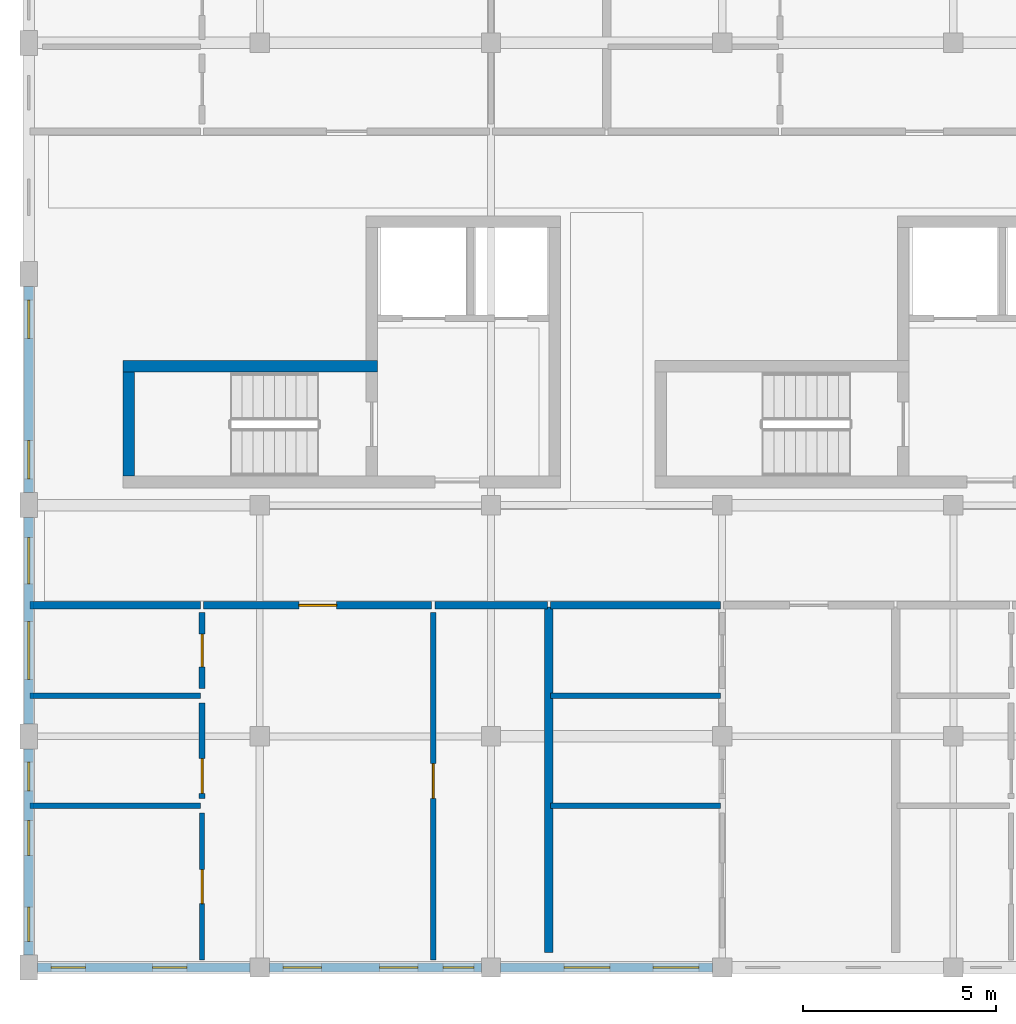
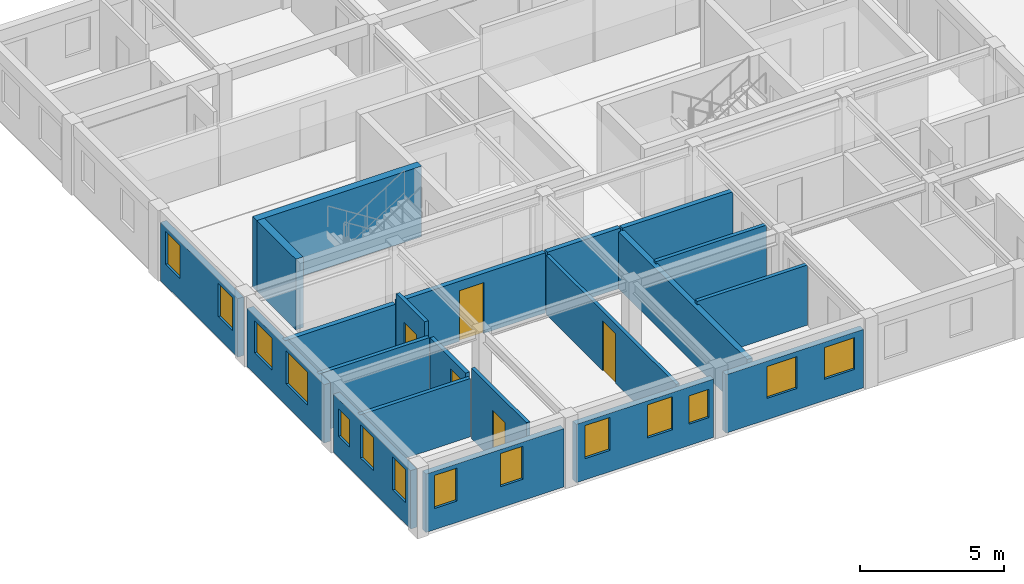
# One storey, part 3 of 13: 21 walls, 14 windows, 5 doors, 19 openings.
"""IFC4 building model written with IfcOpenShell, lengths in metres."""

from ifc_helpers import new_model, si_unit, direction, frame, frame_2d, origin, place, context, subcontext, project, spatial, rectangle, extrude, material, layer, layer_set, type_object, element, fill, save


model = new_model("IFC4")

# Units and contexts
model_context = context("Model", 3, precision=1e-05, world=origin(), true_north=direction((0.0, 1.0)))
body_context = subcontext(model_context, "Body", "Model", "MODEL_VIEW")
ifc_project = project(units=[si_unit("LENGTHUNIT", "METRE"), si_unit("AREAUNIT", "SQUARE_METRE"), si_unit("VOLUMEUNIT", "CUBIC_METRE"), si_unit("PLANEANGLEUNIT", "RADIAN"), si_unit("MASSUNIT", "GRAM", prefix="KILO"), si_unit("POWERUNIT", "WATT"), si_unit("THERMODYNAMICTEMPERATUREUNIT", "KELVIN")], contexts=[model_context])

# Site, building, storey
site_placement = place(None, origin())
site = spatial("IfcSite", under=ifc_project, at=site_placement, CompositionType="ELEMENT")
building_placement = place(site_placement, origin())
building = spatial("IfcBuilding", under=site, at=building_placement, Name="Ruvembo Vaulted Housing Court", CompositionType="ELEMENT")
storey_placement = place(building_placement, frame((0.0, 0.0, 33.300048828125)))
storey = spatial("IfcBuildingStorey", under=building, at=storey_placement, Name="L10", CompositionType="ELEMENT", Elevation=33.300048828125)

# Walls
ifc_material_1 = material(Name="Concrete C35/45", Category="concrete")
ifc_layer_1 = layer(ifc_material_1, 0.300048828125, Name="Concrete C35/45")
ifc_layer_set_1 = layer_set([ifc_layer_1], Name="Concrete C35/45")
wall_type_1 = type_object("IfcWallType", Name="WL-CORE-300", PredefinedType="SHEAR", material=ifc_layer_set_1)
wall_1_placement = place(storey_placement, frame((9.050048828125, 21.60009765625, 0.0), z_axis=(0.0, 0.0, 1.0), x_axis=(-1.0, 0.0, 0.0)))
element("IfcWall", 1, at=wall_1_placement, inside=storey, type_object=wall_type_1, Name="Core A1 L10 Stair North Shear Wall", PredefinedType="SHEAR", context=body_context, shape_type="SweptSolid", body=[
    extrude(rectangle(XDim=6.60009765625, YDim=0.300048828125, at=frame_2d((3.300048828125, 0.0))), origin(), (0.0, 0.0, 1.0), 2.989990234375),
])
wall_2_placement = place(storey_placement, frame((2.60009765625, 21.449951171875, 0.0), z_axis=(0.0, 0.0, 1.0), x_axis=(0.0, -1.0, 0.0)))
element("IfcWall", 2, at=wall_2_placement, inside=storey, type_object=wall_type_1, Name="Core A1 L10 Stair West Shear Wall", PredefinedType="SHEAR", context=body_context, shape_type="SweptSolid", body=[
    extrude(rectangle(XDim=2.699951171875, YDim=0.300048828125, at=frame_2d((1.35009765625, 0.0))), origin(), (0.0, 0.0, 1.0), 2.989990234375),
])
ifc_material_2 = material(Name="Concrete Blockwork 190", Category="masonry")
ifc_layer_2 = layer(ifc_material_2, 0.18994140625, Name="Concrete Blockwork 190")
ifc_layer_set_2 = layer_set([ifc_layer_2], Name="Concrete Blockwork 190")
wall_type_2 = type_object("IfcWallType", Name="WL-CORR-190", PredefinedType="SOLIDWALL", material=ifc_layer_set_2)
wall_3_placement = place(storey_placement, frame((0.0400390625, 15.39990234375, 0.0), z_axis=(0.0, 0.0, 1.0), x_axis=(1.0, 0.0, 0.0)))
element("IfcWall", 3, at=wall_3_placement, inside=storey, type_object=wall_type_2, Name="L10 Flat A-L10-S1 Corridor Wall WL-INT-L10-02200", PredefinedType="SOLIDWALL", context=body_context, shape_type="SweptSolid", body=[
    extrude(rectangle(XDim=4.419921875, YDim=0.18994140625, at=frame_2d((2.2099609375, 0.0))), origin(), (0.0, 0.0, 1.0), 2.471923828125),
])

# Wall, opening, door
wall_4_placement = place(storey_placement, frame((4.5400390625, 15.39990234375, 0.0), z_axis=(0.0, 0.0, 1.0), x_axis=(1.0, 0.0, 0.0)))
wall_4 = element("IfcWall", 4, at=wall_4_placement, inside=storey, type_object=wall_type_2, Name="L10 Flat A-L10-S1 Entrance WL-INT-L10-02201", PredefinedType="SOLIDWALL", context=body_context, shape_type="SweptSolid", body=[
    extrude(rectangle(XDim=5.919921875, YDim=0.18994140625, at=frame_2d((2.9599609375, 0.0))), origin(), (0.0, 0.0, 1.0), 2.5478515625),
])
opening_1_placement = place(wall_4_placement, frame((2.469970703125, 0.0, 0.0)))
opening_1 = element("IfcOpeningElement", 5, at=opening_1_placement, cuts=wall_4, Name="Opening FD2", PredefinedType="OPENING", context=body_context, shape_type="SweptSolid", body=[
    extrude(rectangle(XDim=0.97998046875, YDim=2.14990234375, at=frame_2d((0.489990234375, 1.074951171875))), frame((0.0, 0.10498046875, 0.0), z_axis=(0.0, -1.0, 0.0), x_axis=(1.0, 0.0, 0.0)), (0.0, 0.0, 1.0), 0.2099609375),
])
ifc_material_3 = material(Name="FSC Hardwood and Engineered Timber", Category="wood")
door_type_1 = type_object("IfcDoorType", Name="DR-FLAT-0980x2150", OperationType="NOTDEFINED", PredefinedType="DOOR", material=ifc_material_3)
door_1_placement = place(opening_1_placement, origin())
door_1 = element("IfcDoor", 6, at=door_1_placement, inside=storey, type_object=door_type_1, Name="L10 Flat A-L10-S1 Entrance Door DR-INT-L10-01222", OperationType="SINGLE_SWING_RIGHT", OverallHeight=2.14990234375, OverallWidth=0.97998046875, PredefinedType="DOOR", context=body_context, shape_type="SweptSolid", body=[
    extrude(rectangle(XDim=0.97998046875, YDim=2.14990234375, at=frame_2d((0.489990234375, 1.074951171875))), frame((0.0, 0.02490234375, 0.0), z_axis=(0.0, -1.0, 0.0), x_axis=(1.0, 0.0, 0.0)), (0.0, 0.0, 1.0), 0.050048828125),
])
fill(opening_1, door_1)

# Walls
wall_5_placement = place(storey_placement, frame((10.5400390625, 15.39990234375, 0.0), z_axis=(0.0, 0.0, 1.0), x_axis=(1.0, 0.0, 0.0)))
element("IfcWall", 7, at=wall_5_placement, inside=storey, type_object=wall_type_2, Name="L10 Flat A-L10-S1 Corridor Wall 2 WL-INT-L10-02207", PredefinedType="SOLIDWALL", context=body_context, shape_type="SweptSolid", body=[
    extrude(rectangle(XDim=2.919921875, YDim=0.18994140625, at=frame_2d((1.4599609375, 0.0))), origin(), (0.0, 0.0, 1.0), 2.5478515625),
])
wall_6_placement = place(storey_placement, frame((13.5400390625, 15.39990234375, 0.0), z_axis=(0.0, 0.0, 1.0), x_axis=(1.0, 0.0, 0.0)))
element("IfcWall", 8, at=wall_6_placement, inside=storey, type_object=wall_type_2, Name="L10 Flat A-L10-S2 Corridor Wall WL-INT-L10-02210", PredefinedType="SOLIDWALL", context=body_context, shape_type="SweptSolid", body=[
    extrude(rectangle(XDim=4.419921875, YDim=0.18994140625, at=frame_2d((2.2099609375, 0.0))), origin(), (0.0, 0.0, 1.0), 2.508056640625),
])
ifc_material_4 = material(Name="Acoustic Masonry Demising 220", Category="masonry")
ifc_layer_3 = layer(ifc_material_4, 0.219970703125, Name="Acoustic Masonry Demising 220")
ifc_layer_set_3 = layer_set([ifc_layer_3], Name="Acoustic Masonry Demising 220")
wall_type_3 = type_object("IfcWallType", Name="WL-DEM-200", PredefinedType="SOLIDWALL", material=ifc_layer_set_3)
wall_7_placement = place(storey_placement, frame((13.5, 6.389892578125, 0.0), z_axis=(0.0, 0.0, 1.0), x_axis=(0.0, 1.0, 0.0)))
element("IfcWall", 9, at=wall_7_placement, inside=storey, type_object=wall_type_3, Name="L10 Demising A-L10-S1 WL-INT-L10-02199", PredefinedType="SOLIDWALL", context=body_context, shape_type="SweptSolid", body=[
    extrude(rectangle(XDim=8.97021484375, YDim=0.219970703125, at=frame_2d((4.485107421875, 0.0))), origin(), (0.0, 0.0, 1.0), 2.407958984375),
])

# Wall, openings, windows
ifc_material_5 = material(Name="Rendered Masonry 245", Category="masonry")
ifc_layer_4 = layer(ifc_material_5, 0.2451171875, Name="Rendered Masonry 245")
ifc_layer_set_4 = layer_set([ifc_layer_4], Name="Rendered Masonry 245")
wall_type_4 = type_object("IfcWallType", Name="WL-EXT-245", PredefinedType="STANDARD", material=ifc_layer_set_4)
wall_8_placement = place(storey_placement, frame((0.22509765625, 6.0, 0.0), z_axis=(0.0, 0.0, 1.0), x_axis=(1.0, 0.0, 0.0)))
wall_8 = element("IfcWall", 10, at=wall_8_placement, inside=storey, type_object=wall_type_4, Name="Block A L10 Exterior Wall STREET #1", PredefinedType="STANDARD", context=body_context, shape_type="SweptSolid", body=[
    extrude(rectangle(XDim=5.52490234375, YDim=0.2451171875, at=frame_2d((2.762451171875, 0.0))), origin(), (0.0, 0.0, 1.0), 2.471923828125),
])
opening_2_placement = place(wall_8_placement, frame((0.35009765625, 0.0, 0.89990234375)))
opening_2 = element("IfcOpeningElement", 11, at=opening_2_placement, cuts=wall_8, Name="Opening W05", PredefinedType="OPENING", context=body_context, shape_type="SweptSolid", body=[
    extrude(rectangle(XDim=0.89990234375, YDim=1.39990234375, at=frame_2d((0.449951171875, 0.699951171875))), frame((0.0, 0.132568359375, 0.0), z_axis=(0.0, -1.0, 0.0), x_axis=(1.0, 0.0, 0.0)), (0.0, 0.0, 1.0), 0.26513671875),
])
opening_3_placement = place(wall_8_placement, frame((2.985107421875, 0.0, 0.89990234375)))
opening_3 = element("IfcOpeningElement", 12, at=opening_3_placement, cuts=wall_8, Name="Opening W05", PredefinedType="OPENING", context=body_context, shape_type="SweptSolid", body=[
    extrude(rectangle(XDim=0.89990234375, YDim=1.39990234375, at=frame_2d((0.449951171875, 0.699951171875))), frame((0.0, 0.132568359375, 0.0), z_axis=(0.0, -1.0, 0.0), x_axis=(1.0, 0.0, 0.0)), (0.0, 0.0, 1.0), 0.26513671875),
])
ifc_material_6 = material(Name="Double Solar-Control Glazing in Aluminium Frame", Category="aluminium")
window_type_1 = type_object("IfcWindowType", Name="WIN-0900x1400", PartitioningType="SINGLE_PANEL", PredefinedType="WINDOW", material=ifc_material_6)
window_1_placement = place(opening_2_placement, origin())
window_1 = element("IfcWindow", 13, at=window_1_placement, inside=storey, type_object=window_type_1, Name="Block A L10 Window #432", OverallHeight=1.39990234375, OverallWidth=0.89990234375, PartitioningType="SINGLE_PANEL", PredefinedType="WINDOW", context=body_context, shape_type="SweptSolid", body=[
    extrude(rectangle(XDim=0.89990234375, YDim=1.39990234375, at=frame_2d((0.449951171875, 0.699951171875))), frame((0.0, 0.030029296875, 0.0), z_axis=(0.0, -1.0, 0.0), x_axis=(1.0, 0.0, 0.0)), (0.0, 0.0, 1.0), 0.06005859375),
])
fill(opening_2, window_1)
window_2_placement = place(opening_3_placement, origin())
window_2 = element("IfcWindow", 14, at=window_2_placement, inside=storey, type_object=window_type_1, Name="Block A L10 Window #433", OverallHeight=1.39990234375, OverallWidth=0.89990234375, PartitioningType="SINGLE_PANEL", PredefinedType="WINDOW", context=body_context, shape_type="SweptSolid", body=[
    extrude(rectangle(XDim=0.89990234375, YDim=1.39990234375, at=frame_2d((0.449951171875, 0.699951171875))), frame((0.0, 0.030029296875, 0.0), z_axis=(0.0, -1.0, 0.0), x_axis=(1.0, 0.0, 0.0)), (0.0, 0.0, 1.0), 0.06005859375),
])
fill(opening_3, window_2)

wall_9_placement = place(storey_placement, frame((6.25, 6.0, 0.0), z_axis=(0.0, 0.0, 1.0), x_axis=(1.0, 0.0, 0.0)))
wall_9 = element("IfcWall", 15, at=wall_9_placement, inside=storey, type_object=wall_type_4, Name="Block A L10 Exterior Wall STREET #2", PredefinedType="STANDARD", context=body_context, shape_type="SweptSolid", body=[
    extrude(rectangle(XDim=5.5, YDim=0.2451171875, at=frame_2d((2.75, 0.0))), origin(), (0.0, 0.0, 1.0), 2.471923828125),
])
opening_4_placement = place(wall_9_placement, frame((0.35009765625, 0.0, 0.89990234375)))
opening_4 = element("IfcOpeningElement", 16, at=opening_4_placement, cuts=wall_9, Name="Opening W08", PredefinedType="OPENING", context=body_context, shape_type="SweptSolid", body=[
    extrude(rectangle(XDim=1.0, YDim=1.39990234375, at=frame_2d((0.5, 0.699951171875))), frame((0.0, 0.132568359375, 0.0), z_axis=(0.0, -1.0, 0.0), x_axis=(1.0, 0.0, 0.0)), (0.0, 0.0, 1.0), 0.26513671875),
])
opening_5_placement = place(wall_9_placement, frame((2.860107421875, 0.0, 0.89990234375)))
opening_5 = element("IfcOpeningElement", 17, at=opening_5_placement, cuts=wall_9, Name="Opening W08", PredefinedType="OPENING", context=body_context, shape_type="SweptSolid", body=[
    extrude(rectangle(XDim=1.0, YDim=1.39990234375, at=frame_2d((0.5, 0.699951171875))), frame((0.0, 0.132568359375, 0.0), z_axis=(0.0, -1.0, 0.0), x_axis=(1.0, 0.0, 0.0)), (0.0, 0.0, 1.0), 0.26513671875),
])
opening_6_placement = place(wall_9_placement, frame((4.506103515625, 0.0, 0.89990234375)))
opening_6 = element("IfcOpeningElement", 18, at=opening_6_placement, cuts=wall_9, Name="Opening W02", PredefinedType="OPENING", context=body_context, shape_type="SweptSolid", body=[
    extrude(rectangle(XDim=0.800048828125, YDim=1.199951171875, at=frame_2d((0.39990234375, 0.60009765625))), frame((0.0, 0.132568359375, 0.0), z_axis=(0.0, -1.0, 0.0), x_axis=(1.0, 0.0, 0.0)), (0.0, 0.0, 1.0), 0.26513671875),
])
window_type_2 = type_object("IfcWindowType", Name="WIN-0800x1200", PartitioningType="SINGLE_PANEL", PredefinedType="WINDOW", material=ifc_material_6)
window_3_placement = place(opening_6_placement, origin())
window_3 = element("IfcWindow", 19, at=window_3_placement, inside=storey, type_object=window_type_2, Name="Block A L10 Window #2082", OverallHeight=1.199951171875, OverallWidth=0.800048828125, PartitioningType="SINGLE_PANEL", PredefinedType="WINDOW", context=body_context, shape_type="SweptSolid", body=[
    extrude(rectangle(XDim=0.800048828125, YDim=1.199951171875, at=frame_2d((0.39990234375, 0.60009765625))), frame((0.0, 0.030029296875, 0.0), z_axis=(0.0, -1.0, 0.0), x_axis=(1.0, 0.0, 0.0)), (0.0, 0.0, 1.0), 0.06005859375),
])
fill(opening_6, window_3)
window_type_3 = type_object("IfcWindowType", Name="WIN-1000x1400", PartitioningType="SINGLE_PANEL", PredefinedType="WINDOW", material=ifc_material_6)
window_4_placement = place(opening_4_placement, origin())
window_4 = element("IfcWindow", 20, at=window_4_placement, inside=storey, type_object=window_type_3, Name="Block A L10 Window #434", OverallHeight=1.39990234375, OverallWidth=1.0, PartitioningType="SINGLE_PANEL", PredefinedType="WINDOW", context=body_context, shape_type="SweptSolid", body=[
    extrude(rectangle(XDim=1.0, YDim=1.39990234375, at=frame_2d((0.5, 0.699951171875))), frame((0.0, 0.030029296875, 0.0), z_axis=(0.0, -1.0, 0.0), x_axis=(1.0, 0.0, 0.0)), (0.0, 0.0, 1.0), 0.06005859375),
])
fill(opening_4, window_4)
window_5_placement = place(opening_5_placement, origin())
window_5 = element("IfcWindow", 21, at=window_5_placement, inside=storey, type_object=window_type_3, Name="Block A L10 Window #435", OverallHeight=1.39990234375, OverallWidth=1.0, PartitioningType="SINGLE_PANEL", PredefinedType="WINDOW", context=body_context, shape_type="SweptSolid", body=[
    extrude(rectangle(XDim=1.0, YDim=1.39990234375, at=frame_2d((0.5, 0.699951171875))), frame((0.0, 0.030029296875, 0.0), z_axis=(0.0, -1.0, 0.0), x_axis=(1.0, 0.0, 0.0)), (0.0, 0.0, 1.0), 0.06005859375),
])
fill(opening_5, window_5)

wall_10_placement = place(storey_placement, frame((12.25, 6.0, 0.0), z_axis=(0.0, 0.0, 1.0), x_axis=(1.0, 0.0, 0.0)))
wall_10 = element("IfcWall", 22, at=wall_10_placement, inside=storey, type_object=wall_type_4, Name="Block A L10 Exterior Wall STREET #3", PredefinedType="STANDARD", context=body_context, shape_type="SweptSolid", body=[
    extrude(rectangle(XDim=5.5, YDim=0.2451171875, at=frame_2d((2.75, 0.0))), origin(), (0.0, 0.0, 1.0), 2.471923828125),
])
opening_7_placement = place(wall_10_placement, frame((1.639892578125, 0.0, 0.89990234375)))
opening_7 = element("IfcOpeningElement", 23, at=opening_7_placement, cuts=wall_10, Name="Opening W12", PredefinedType="OPENING", context=body_context, shape_type="SweptSolid", body=[
    extrude(rectangle(XDim=1.199951171875, YDim=1.35009765625, at=frame_2d((0.60009765625, 0.675048828125))), frame((0.0, 0.132568359375, 0.0), z_axis=(0.0, -1.0, 0.0), x_axis=(1.0, 0.0, 0.0)), (0.0, 0.0, 1.0), 0.26513671875),
])
opening_8_placement = place(wall_10_placement, frame((3.949951171875, 0.0, 0.89990234375)))
opening_8 = element("IfcOpeningElement", 24, at=opening_8_placement, cuts=wall_10, Name="Opening W12", PredefinedType="OPENING", context=body_context, shape_type="SweptSolid", body=[
    extrude(rectangle(XDim=1.199951171875, YDim=1.35009765625, at=frame_2d((0.60009765625, 0.675048828125))), frame((0.0, 0.132568359375, 0.0), z_axis=(0.0, -1.0, 0.0), x_axis=(1.0, 0.0, 0.0)), (0.0, 0.0, 1.0), 0.26513671875),
])
window_type_4 = type_object("IfcWindowType", Name="WIN-1200x1350", PartitioningType="SINGLE_PANEL", PredefinedType="WINDOW", material=ifc_material_6)
window_6_placement = place(opening_7_placement, origin())
window_6 = element("IfcWindow", 25, at=window_6_placement, inside=storey, type_object=window_type_4, Name="Block A L10 Window #436", OverallHeight=1.35009765625, OverallWidth=1.199951171875, PartitioningType="SINGLE_PANEL", PredefinedType="WINDOW", context=body_context, shape_type="SweptSolid", body=[
    extrude(rectangle(XDim=1.199951171875, YDim=1.35009765625, at=frame_2d((0.60009765625, 0.675048828125))), frame((0.0, 0.030029296875, 0.0), z_axis=(0.0, -1.0, 0.0), x_axis=(1.0, 0.0, 0.0)), (0.0, 0.0, 1.0), 0.06005859375),
])
fill(opening_7, window_6)
window_7_placement = place(opening_8_placement, origin())
window_7 = element("IfcWindow", 26, at=window_7_placement, inside=storey, type_object=window_type_4, Name="Block A L10 Window #437", OverallHeight=1.35009765625, OverallWidth=1.199951171875, PartitioningType="SINGLE_PANEL", PredefinedType="WINDOW", context=body_context, shape_type="SweptSolid", body=[
    extrude(rectangle(XDim=1.199951171875, YDim=1.35009765625, at=frame_2d((0.60009765625, 0.675048828125))), frame((0.0, 0.030029296875, 0.0), z_axis=(0.0, -1.0, 0.0), x_axis=(1.0, 0.0, 0.0)), (0.0, 0.0, 1.0), 0.06005859375),
])
fill(opening_8, window_7)

wall_11_placement = place(storey_placement, frame((0.0, 23.675048828125, 0.0), z_axis=(0.0, 0.0, 1.0), x_axis=(0.0, -1.0, 0.0)))
wall_11 = element("IfcWall", 27, at=wall_11_placement, inside=storey, type_object=wall_type_4, Name="Block A L10 Exterior Wall WEST #3", PredefinedType="STANDARD", context=body_context, shape_type="SweptSolid", body=[
    extrude(rectangle(XDim=5.35009765625, YDim=0.2451171875, at=frame_2d((2.675048828125, 0.0))), origin(), (0.0, 0.0, 1.0), 2.471923828125),
])
opening_9_placement = place(wall_11_placement, frame((0.35009765625, 0.0, 0.89990234375)))
opening_9 = element("IfcOpeningElement", 28, at=opening_9_placement, cuts=wall_11, Name="Opening W08", PredefinedType="OPENING", context=body_context, shape_type="SweptSolid", body=[
    extrude(rectangle(XDim=1.0, YDim=1.39990234375, at=frame_2d((0.5, 0.699951171875))), frame((0.0, 0.132568359375, 0.0), z_axis=(0.0, -1.0, 0.0), x_axis=(1.0, 0.0, 0.0)), (0.0, 0.0, 1.0), 0.26513671875),
])
opening_10_placement = place(wall_11_placement, frame((4.0, 0.0, 0.89990234375)))
opening_10 = element("IfcOpeningElement", 29, at=opening_10_placement, cuts=wall_11, Name="Opening W08", PredefinedType="OPENING", context=body_context, shape_type="SweptSolid", body=[
    extrude(rectangle(XDim=1.0, YDim=1.39990234375, at=frame_2d((0.5, 0.699951171875))), frame((0.0, 0.132568359375, 0.0), z_axis=(0.0, -1.0, 0.0), x_axis=(1.0, 0.0, 0.0)), (0.0, 0.0, 1.0), 0.26513671875),
])
window_8_placement = place(opening_9_placement, origin())
window_8 = element("IfcWindow", 30, at=window_8_placement, inside=storey, type_object=window_type_3, Name="Block A L10 Window #464", OverallHeight=1.39990234375, OverallWidth=1.0, PartitioningType="SINGLE_PANEL", PredefinedType="WINDOW", context=body_context, shape_type="SweptSolid", body=[
    extrude(rectangle(XDim=1.0, YDim=1.39990234375, at=frame_2d((0.5, 0.699951171875))), frame((0.0, 0.030029296875, 0.0), z_axis=(0.0, -1.0, 0.0), x_axis=(1.0, 0.0, 0.0)), (0.0, 0.0, 1.0), 0.06005859375),
])
fill(opening_9, window_8)
window_9_placement = place(opening_10_placement, origin())
window_9 = element("IfcWindow", 31, at=window_9_placement, inside=storey, type_object=window_type_3, Name="Block A L10 Window #465", OverallHeight=1.39990234375, OverallWidth=1.0, PartitioningType="SINGLE_PANEL", PredefinedType="WINDOW", context=body_context, shape_type="SweptSolid", body=[
    extrude(rectangle(XDim=1.0, YDim=1.39990234375, at=frame_2d((0.5, 0.699951171875))), frame((0.0, 0.030029296875, 0.0), z_axis=(0.0, -1.0, 0.0), x_axis=(1.0, 0.0, 0.0)), (0.0, 0.0, 1.0), 0.06005859375),
])
fill(opening_10, window_9)

wall_12_placement = place(storey_placement, frame((0.0, 17.675048828125, 0.0), z_axis=(0.0, 0.0, 1.0), x_axis=(0.0, -1.0, 0.0)))
wall_12 = element("IfcWall", 32, at=wall_12_placement, inside=storey, type_object=wall_type_4, Name="Block A L10 Exterior Wall WEST #4", PredefinedType="STANDARD", context=body_context, shape_type="SweptSolid", body=[
    extrude(rectangle(XDim=5.35009765625, YDim=0.2451171875, at=frame_2d((2.675048828125, 0.0))), origin(), (0.0, 0.0, 1.0), 2.471923828125),
])
opening_11_placement = place(wall_12_placement, frame((0.517578125, 0.0, 0.89990234375)))
opening_11 = element("IfcOpeningElement", 33, at=opening_11_placement, cuts=wall_12, Name="Opening W12", PredefinedType="OPENING", context=body_context, shape_type="SweptSolid", body=[
    extrude(rectangle(XDim=1.199951171875, YDim=1.35009765625, at=frame_2d((0.60009765625, 0.675048828125))), frame((0.0, 0.132568359375, 0.0), z_axis=(0.0, -1.0, 0.0), x_axis=(1.0, 0.0, 0.0)), (0.0, 0.0, 1.0), 0.26513671875),
])
opening_12_placement = place(wall_12_placement, frame((2.699951171875, 0.0, 0.89990234375)))
opening_12 = element("IfcOpeningElement", 34, at=opening_12_placement, cuts=wall_12, Name="Opening W18", PredefinedType="OPENING", context=body_context, shape_type="SweptSolid", body=[
    extrude(rectangle(XDim=1.5, YDim=1.39990234375, at=frame_2d((0.75, 0.699951171875))), frame((0.0, 0.132568359375, 0.0), z_axis=(0.0, -1.0, 0.0), x_axis=(1.0, 0.0, 0.0)), (0.0, 0.0, 1.0), 0.26513671875),
])
window_10_placement = place(opening_11_placement, origin())
window_10 = element("IfcWindow", 35, at=window_10_placement, inside=storey, type_object=window_type_4, Name="Block A L10 Window #466", OverallHeight=1.35009765625, OverallWidth=1.199951171875, PartitioningType="SINGLE_PANEL", PredefinedType="WINDOW", context=body_context, shape_type="SweptSolid", body=[
    extrude(rectangle(XDim=1.199951171875, YDim=1.35009765625, at=frame_2d((0.60009765625, 0.675048828125))), frame((0.0, 0.030029296875, 0.0), z_axis=(0.0, -1.0, 0.0), x_axis=(1.0, 0.0, 0.0)), (0.0, 0.0, 1.0), 0.06005859375),
])
fill(opening_11, window_10)
window_type_5 = type_object("IfcWindowType", Name="WIN-1500x1400", PartitioningType="SINGLE_PANEL", PredefinedType="WINDOW", material=ifc_material_6)
window_11_placement = place(opening_12_placement, origin())
window_11 = element("IfcWindow", 36, at=window_11_placement, inside=storey, type_object=window_type_5, Name="Block A L10 Window #467", OverallHeight=1.39990234375, OverallWidth=1.5, PartitioningType="SINGLE_PANEL", PredefinedType="WINDOW", context=body_context, shape_type="SweptSolid", body=[
    extrude(rectangle(XDim=1.5, YDim=1.39990234375, at=frame_2d((0.75, 0.699951171875))), frame((0.0, 0.030029296875, 0.0), z_axis=(0.0, -1.0, 0.0), x_axis=(1.0, 0.0, 0.0)), (0.0, 0.0, 1.0), 0.06005859375),
])
fill(opening_12, window_11)

wall_13_placement = place(storey_placement, frame((0.0, 11.675048828125, 0.0), z_axis=(0.0, 0.0, 1.0), x_axis=(0.0, -1.0, 0.0)))
wall_13 = element("IfcWall", 37, at=wall_13_placement, inside=storey, type_object=wall_type_4, Name="Block A L10 Exterior Wall WEST #5", PredefinedType="STANDARD", context=body_context, shape_type="SweptSolid", body=[
    extrude(rectangle(XDim=5.35009765625, YDim=0.2451171875, at=frame_2d((2.675048828125, 0.0))), origin(), (0.0, 0.0, 1.0), 2.471923828125),
])
opening_13_placement = place(wall_13_placement, frame((0.342529296875, 0.0, 0.89990234375)))
opening_13 = element("IfcOpeningElement", 38, at=opening_13_placement, cuts=wall_13, Name="Opening W01", PredefinedType="OPENING", context=body_context, shape_type="SweptSolid", body=[
    extrude(rectangle(XDim=0.75, YDim=1.14990234375, at=frame_2d((0.375, 0.574951171875))), frame((0.0, 0.132568359375, 0.0), z_axis=(0.0, -1.0, 0.0), x_axis=(1.0, 0.0, 0.0)), (0.0, 0.0, 1.0), 0.26513671875),
])
opening_14_placement = place(wall_13_placement, frame((1.864990234375, 0.0, 0.89990234375)))
opening_14 = element("IfcOpeningElement", 39, at=opening_14_placement, cuts=wall_13, Name="Opening W05", PredefinedType="OPENING", context=body_context, shape_type="SweptSolid", body=[
    extrude(rectangle(XDim=0.89990234375, YDim=1.39990234375, at=frame_2d((0.449951171875, 0.699951171875))), frame((0.0, 0.132568359375, 0.0), z_axis=(0.0, -1.0, 0.0), x_axis=(1.0, 0.0, 0.0)), (0.0, 0.0, 1.0), 0.26513671875),
])
opening_15_placement = place(wall_13_placement, frame((4.10009765625, 0.0, 0.89990234375)))
opening_15 = element("IfcOpeningElement", 40, at=opening_15_placement, cuts=wall_13, Name="Opening W05", PredefinedType="OPENING", context=body_context, shape_type="SweptSolid", body=[
    extrude(rectangle(XDim=0.89990234375, YDim=1.39990234375, at=frame_2d((0.449951171875, 0.699951171875))), frame((0.0, 0.132568359375, 0.0), z_axis=(0.0, -1.0, 0.0), x_axis=(1.0, 0.0, 0.0)), (0.0, 0.0, 1.0), 0.26513671875),
])
window_type_6 = type_object("IfcWindowType", Name="WIN-0750x1150", PartitioningType="SINGLE_PANEL", PredefinedType="WINDOW", material=ifc_material_6)
window_12_placement = place(opening_13_placement, origin())
window_12 = element("IfcWindow", 41, at=window_12_placement, inside=storey, type_object=window_type_6, Name="Block A L10 Window #468", OverallHeight=1.14990234375, OverallWidth=0.75, PartitioningType="SINGLE_PANEL", PredefinedType="WINDOW", context=body_context, shape_type="SweptSolid", body=[
    extrude(rectangle(XDim=0.75, YDim=1.14990234375, at=frame_2d((0.375, 0.574951171875))), frame((0.0, 0.030029296875, 0.0), z_axis=(0.0, -1.0, 0.0), x_axis=(1.0, 0.0, 0.0)), (0.0, 0.0, 1.0), 0.06005859375),
])
fill(opening_13, window_12)
window_13_placement = place(opening_14_placement, origin())
window_13 = element("IfcWindow", 42, at=window_13_placement, inside=storey, type_object=window_type_1, Name="Block A L10 Window #469", OverallHeight=1.39990234375, OverallWidth=0.89990234375, PartitioningType="SINGLE_PANEL", PredefinedType="WINDOW", context=body_context, shape_type="SweptSolid", body=[
    extrude(rectangle(XDim=0.89990234375, YDim=1.39990234375, at=frame_2d((0.449951171875, 0.699951171875))), frame((0.0, 0.030029296875, 0.0), z_axis=(0.0, -1.0, 0.0), x_axis=(1.0, 0.0, 0.0)), (0.0, 0.0, 1.0), 0.06005859375),
])
fill(opening_14, window_13)
window_14_placement = place(opening_15_placement, origin())
window_14 = element("IfcWindow", 43, at=window_14_placement, inside=storey, type_object=window_type_1, Name="Block A L10 Window #470", OverallHeight=1.39990234375, OverallWidth=0.89990234375, PartitioningType="SINGLE_PANEL", PredefinedType="WINDOW", context=body_context, shape_type="SweptSolid", body=[
    extrude(rectangle(XDim=0.89990234375, YDim=1.39990234375, at=frame_2d((0.449951171875, 0.699951171875))), frame((0.0, 0.030029296875, 0.0), z_axis=(0.0, -1.0, 0.0), x_axis=(1.0, 0.0, 0.0)), (0.0, 0.0, 1.0), 0.06005859375),
])
fill(opening_15, window_14)

# Wall, opening, door
ifc_material_7 = material(Name="Acoustic Stud Partition 135", Category="gypsum")
ifc_layer_5 = layer(ifc_material_7, 0.135009765625, Name="Acoustic Stud Partition 135")
ifc_layer_set_5 = layer_set([ifc_layer_5], Name="Acoustic Stud Partition 135")
wall_type_5 = type_object("IfcWallType", Name="WL-PART-135", PredefinedType="PARTITIONING", material=ifc_layer_set_5)
wall_14_placement = place(storey_placement, frame((4.5, 6.18994140625, 0.0), z_axis=(0.0, 0.0, 1.0), x_axis=(0.0, 1.0, 0.0)))
wall_14 = element("IfcWall", 44, at=wall_14_placement, inside=storey, type_object=wall_type_5, Name="L10 Flat A-L10-S1 Bedroom 1 WL-INT-L10-02202", PredefinedType="PARTITIONING", context=body_context, shape_type="SweptSolid", body=[
    extrude(rectangle(XDim=3.820068359375, YDim=0.135009765625, at=frame_2d((1.91015625, 0.0))), origin(), (0.0, 0.0, 1.0), 2.989990234375),
])
opening_16_placement = place(wall_14_placement, frame((1.469970703125, 0.0, 0.0)))
opening_16 = element("IfcOpeningElement", 45, at=opening_16_placement, cuts=wall_14, Name="Opening ID3", PredefinedType="OPENING", context=body_context, shape_type="SweptSolid", body=[
    extrude(rectangle(XDim=0.8798828125, YDim=2.10009765625, at=frame_2d((0.43994140625, 1.050048828125))), frame((0.0, 0.077392578125, 0.0), z_axis=(0.0, -1.0, 0.0), x_axis=(1.0, 0.0, 0.0)), (0.0, 0.0, 1.0), 0.155029296875),
])
door_type_2 = type_object("IfcDoorType", Name="DR-ROOM-0880x2100", OperationType="NOTDEFINED", PredefinedType="DOOR", material=ifc_material_3)
door_2_placement = place(opening_16_placement, origin())
door_2 = element("IfcDoor", 46, at=door_2_placement, inside=storey, type_object=door_type_2, Name="L10 Flat A-L10-S1 Bedroom 1 Door DR-INT-L10-01223", OperationType="SINGLE_SWING_LEFT", OverallHeight=2.10009765625, OverallWidth=0.8798828125, PredefinedType="DOOR", context=body_context, shape_type="SweptSolid", body=[
    extrude(rectangle(XDim=0.8798828125, YDim=2.10009765625, at=frame_2d((0.43994140625, 1.050048828125))), frame((0.0, 0.02490234375, 0.0), z_axis=(0.0, -1.0, 0.0), x_axis=(1.0, 0.0, 0.0)), (0.0, 0.0, 1.0), 0.050048828125),
])
fill(opening_16, door_2)

wall_15_placement = place(storey_placement, frame((10.5, 6.18994140625, 0.0), z_axis=(0.0, 0.0, 1.0), x_axis=(0.0, 1.0, 0.0)))
wall_15 = element("IfcWall", 47, at=wall_15_placement, inside=storey, type_object=wall_type_5, Name="L10 Flat A-L10-S1 Bedroom 2 WL-INT-L10-02208", PredefinedType="PARTITIONING", context=body_context, shape_type="SweptSolid", body=[
    extrude(rectangle(XDim=9.02001953125, YDim=0.135009765625, at=frame_2d((4.510009765625, 0.0))), origin(), (0.0, 0.0, 1.0), 2.508056640625),
])
opening_17_placement = place(wall_15_placement, frame((4.199951171875, 0.0, 0.0)))
opening_17 = element("IfcOpeningElement", 48, at=opening_17_placement, cuts=wall_15, Name="Opening ID1", PredefinedType="OPENING", context=body_context, shape_type="SweptSolid", body=[
    extrude(rectangle(XDim=0.89990234375, YDim=2.10009765625, at=frame_2d((0.449951171875, 1.050048828125))), frame((0.0, 0.077392578125, 0.0), z_axis=(0.0, -1.0, 0.0), x_axis=(1.0, 0.0, 0.0)), (0.0, 0.0, 1.0), 0.155029296875),
])
door_type_3 = type_object("IfcDoorType", Name="DR-ROOM-0900x2100", OperationType="NOTDEFINED", PredefinedType="DOOR", material=ifc_material_3)
door_3_placement = place(opening_17_placement, origin())
door_3 = element("IfcDoor", 49, at=door_3_placement, inside=storey, type_object=door_type_3, Name="L10 Flat A-L10-S1 Bedroom 2 Door DR-INT-L10-01226", OperationType="SINGLE_SWING_RIGHT", OverallHeight=2.10009765625, OverallWidth=0.89990234375, PredefinedType="DOOR", context=body_context, shape_type="SweptSolid", body=[
    extrude(rectangle(XDim=0.89990234375, YDim=2.10009765625, at=frame_2d((0.449951171875, 1.050048828125))), frame((0.0, 0.02490234375, 0.0), z_axis=(0.0, -1.0, 0.0), x_axis=(1.0, 0.0, 0.0)), (0.0, 0.0, 1.0), 0.050048828125),
])
fill(opening_17, door_3)

ifc_material_8 = material(Name="Moisture-Resistant Wet Partition 150", Category="gypsum")
ifc_layer_6 = layer(ifc_material_8, 0.14990234375, Name="Moisture-Resistant Wet Partition 150")
ifc_layer_set_6 = layer_set([ifc_layer_6], Name="Moisture-Resistant Wet Partition 150")
wall_type_6 = type_object("IfcWallType", Name="WL-PART-150", PredefinedType="PARTITIONING", material=ifc_layer_set_6)
wall_16_placement = place(storey_placement, frame((4.5, 13.239990234375, 0.0), z_axis=(0.0, 0.0, 1.0), x_axis=(0.0, 1.0, 0.0)))
wall_16 = element("IfcWall", 50, at=wall_16_placement, inside=storey, type_object=wall_type_6, Name="L10 Flat A-L10-S1 Bathroom WL-INT-L10-02204", PredefinedType="PARTITIONING", context=body_context, shape_type="SweptSolid", body=[
    extrude(rectangle(XDim=1.969970703125, YDim=0.14990234375, at=frame_2d((0.98486328125, 0.0))), origin(), (0.0, 0.0, 1.0), 2.989990234375),
])
opening_18_placement = place(wall_16_placement, frame((0.56005859375, 0.0, 0.0)))
opening_18 = element("IfcOpeningElement", 51, at=opening_18_placement, cuts=wall_16, Name="Opening ID2", PredefinedType="OPENING", context=body_context, shape_type="SweptSolid", body=[
    extrude(rectangle(XDim=0.85009765625, YDim=2.10009765625, at=frame_2d((0.425048828125, 1.050048828125))), frame((0.0, 0.0849609375, 0.0), z_axis=(0.0, -1.0, 0.0), x_axis=(1.0, 0.0, 0.0)), (0.0, 0.0, 1.0), 0.169921875),
])
door_type_4 = type_object("IfcDoorType", Name="DR-WET-0850x2100", OperationType="NOTDEFINED", PredefinedType="DOOR", material=ifc_material_3)
door_4_placement = place(opening_18_placement, origin())
door_4 = element("IfcDoor", 52, at=door_4_placement, inside=storey, type_object=door_type_4, Name="L10 Flat A-L10-S1 Bathroom Door DR-INT-L10-01225", OperationType="SINGLE_SWING_LEFT", OverallHeight=2.10009765625, OverallWidth=0.85009765625, PredefinedType="DOOR", context=body_context, shape_type="SweptSolid", body=[
    extrude(rectangle(XDim=0.85009765625, YDim=2.10009765625, at=frame_2d((0.425048828125, 1.050048828125))), frame((0.0, 0.02490234375, 0.0), z_axis=(0.0, -1.0, 0.0), x_axis=(1.0, 0.0, 0.0)), (0.0, 0.0, 1.0), 0.050048828125),
])
fill(opening_18, door_4)

# Walls
for number, where, z_axis, x_axis, name in (
    (53, (0.0400390625, 10.199951171875, 0.0), (0.0, 0.0, 1.0), (1.0, 0.0, 0.0), "L10 Flat A-L10-S1 Wet Wall 1 WL-INT-L10-02205"),
    (54, (0.0400390625, 13.050048828125, 0.0), (0.0, 0.0, 1.0), (1.0, 0.0, 0.0), "L10 Flat A-L10-S1 Wet Wall 2 WL-INT-L10-02206"),
):
    element("IfcWall", number, at=place(storey_placement, frame(where, z_axis=z_axis, x_axis=x_axis)), inside=storey, type_object=wall_type_6, Name=name, PredefinedType="PARTITIONING", context=body_context, shape_type="SweptSolid", body=[
        extrude(rectangle(XDim=4.419921875, YDim=0.14990234375, at=frame_2d((2.2099609375, 0.0))), origin(), (0.0, 0.0, 1.0), 2.471923828125),
    ])
wall_17_placement = place(storey_placement, frame((13.5400390625, 10.199951171875, 0.0), z_axis=(0.0, 0.0, 1.0), x_axis=(1.0, 0.0, 0.0)))
element("IfcWall", 55, at=wall_17_placement, inside=storey, type_object=wall_type_6, Name="L10 Flat A-L10-S2 Wet Wall 1 WL-INT-L10-02215", PredefinedType="PARTITIONING", context=body_context, shape_type="SweptSolid", body=[
    extrude(rectangle(XDim=4.419921875, YDim=0.14990234375, at=frame_2d((2.2099609375, 0.0))), origin(), (0.0, 0.0, 1.0), 2.5478515625),
])
wall_18_placement = place(storey_placement, frame((13.5400390625, 13.050048828125, 0.0), z_axis=(0.0, 0.0, 1.0), x_axis=(1.0, 0.0, 0.0)))
element("IfcWall", 56, at=wall_18_placement, inside=storey, type_object=wall_type_6, Name="L10 Flat A-L10-S2 Wet Wall 2 WL-INT-L10-02216", PredefinedType="PARTITIONING", context=body_context, shape_type="SweptSolid", body=[
    extrude(rectangle(XDim=4.419921875, YDim=0.14990234375, at=frame_2d((2.2099609375, 0.0))), origin(), (0.0, 0.0, 1.0), 2.508056640625),
])

# Wall, opening, door
ifc_material_9 = material(Name="Acoustic Service Chase Wall 160", Category="gypsum")
ifc_layer_7 = layer(ifc_material_9, 0.159912109375, Name="Acoustic Service Chase Wall 160")
ifc_layer_set_7 = layer_set([ifc_layer_7], Name="Acoustic Service Chase Wall 160")
wall_type_7 = type_object("IfcWallType", Name="WL-PLUMB-160", PredefinedType="PLUMBINGWALL", material=ifc_layer_set_7)
wall_19_placement = place(storey_placement, frame((4.5, 10.389892578125, 0.0), z_axis=(0.0, 0.0, 1.0), x_axis=(0.0, 1.0, 0.0)))
wall_19 = element("IfcWall", 57, at=wall_19_placement, inside=storey, type_object=wall_type_7, Name="L10 Flat A-L10-S1 Kitchen WL-INT-L10-02203", PredefinedType="PLUMBINGWALL", context=body_context, shape_type="SweptSolid", body=[
    extrude(rectangle(XDim=2.47021484375, YDim=0.159912109375, at=frame_2d((1.235107421875, 0.0))), origin(), (0.0, 0.0, 1.0), 2.5478515625),
])
opening_19_placement = place(wall_19_placement, frame((0.1298828125, 0.0, 0.0)))
opening_19 = element("IfcOpeningElement", 58, at=opening_19_placement, cuts=wall_19, Name="Opening ID1", PredefinedType="OPENING", context=body_context, shape_type="SweptSolid", body=[
    extrude(rectangle(XDim=0.89990234375, YDim=2.10009765625, at=frame_2d((0.449951171875, 1.050048828125))), frame((0.0, 0.08984375, 0.0), z_axis=(0.0, -1.0, 0.0), x_axis=(1.0, 0.0, 0.0)), (0.0, 0.0, 1.0), 0.179931640625),
])
door_5_placement = place(opening_19_placement, origin())
door_5 = element("IfcDoor", 59, at=door_5_placement, inside=storey, type_object=door_type_3, Name="L10 Flat A-L10-S1 Kitchen Door DR-INT-L10-01224", OperationType="SINGLE_SWING_RIGHT", OverallHeight=2.10009765625, OverallWidth=0.89990234375, PredefinedType="DOOR", context=body_context, shape_type="SweptSolid", body=[
    extrude(rectangle(XDim=0.89990234375, YDim=2.10009765625, at=frame_2d((0.449951171875, 1.050048828125))), frame((0.0, 0.02490234375, 0.0), z_axis=(0.0, -1.0, 0.0), x_axis=(1.0, 0.0, 0.0)), (0.0, 0.0, 1.0), 0.050048828125),
])
fill(opening_19, door_5)

save(model, "model.ifc")
